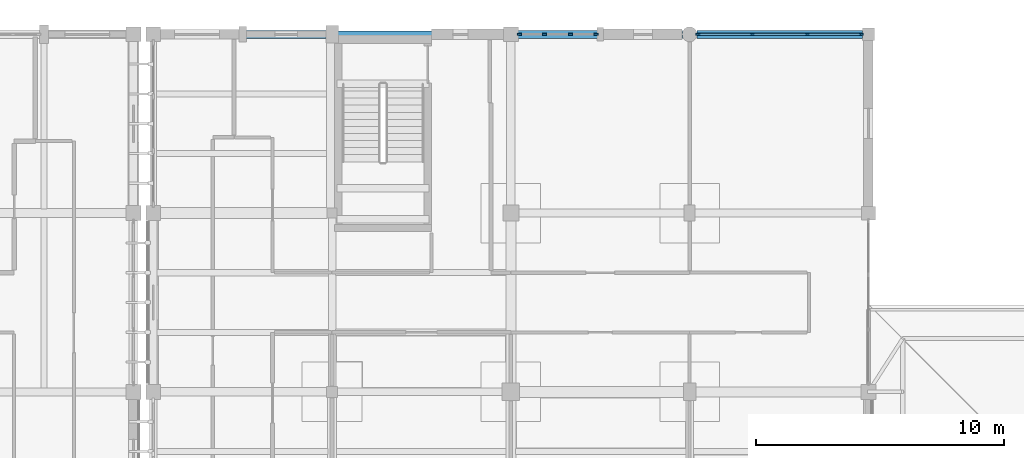
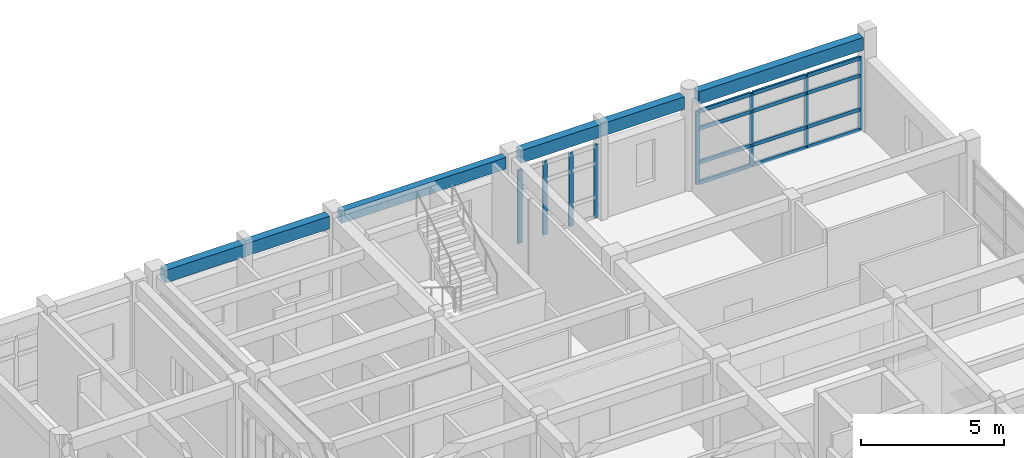
# One storey, part 21 of 55: 20 members, 4 beams, 2 elements without a shape of their own.
"""IFC4 building model written with IfcOpenShell, lengths in metres."""

import ifcopenshell
import ifcopenshell.guid

model = None  # the IFC model being written
_history = None  # IfcOwnerHistory: only IFC2X3 demands one
_inside = {}  # id of a spatial element -> (the spatial element, [elements in it])
_under = {}  # id of a project, library or spatial element -> (it, [spatial elements below it])
_declared = {}  # id of a project -> (the project, [libraries it declares])
_typed = {}  # id of a type object -> (the type object, [elements of that type])
_made_of = {}  # id of a material, layer set ... -> (it, [elements and type objects made of it])


def new_model(schema):
    """Start an empty IFC model of exactly this schema.

    Asked for "IFC4X3", IfcOpenShell would pick the latest addendum, in which some entities
    have other attributes; the version numbers below select the first issue.
    IFC2X3 requires an IfcOwnerHistory on every rooted entity: one is made here for all.
    """
    global model, _history
    if schema == "IFC4X3":
        model = ifcopenshell.file(schema_version=(4, 3, 0, 0))
    else:
        model = ifcopenshell.file(schema=schema)
    _inside.clear()
    _under.clear()
    _declared.clear()
    _typed.clear()
    _made_of.clear()
    _history = None
    if model.schema == "IFC2X3":
        org = make("IfcOrganization", Name="unknown")
        user = make(
            "IfcPersonAndOrganization",
            ThePerson=make("IfcPerson", FamilyName="unknown"),
            TheOrganization=org,
        )
        app = make(
            "IfcApplication",
            ApplicationDeveloper=org,
            Version="unknown",
            ApplicationFullName="unknown",
            ApplicationIdentifier="unknown",
        )
        _history = make(
            "IfcOwnerHistory",
            OwningUser=user,
            OwningApplication=app,
            ChangeAction="ADDED",
            CreationDate=0,
        )
    return model


def make(cls, **values):
    """One entity of the class cls with the attributes given. An attribute that is None is left unset."""
    return model.create_entity(
        cls, **{name: value for name, value in values.items() if value is not None}
    )


def rooted(cls, **values):
    """An entity with a GlobalId (a new one), such as an element, a storey or a relation."""
    return make(cls, GlobalId=ifcopenshell.guid.new(), OwnerHistory=_history, **values)


def si_unit(unit_type, name, prefix=None):
    """IfcSIUnit, for example si_unit("LENGTHUNIT", "METRE", prefix="MILLI")."""
    return make("IfcSIUnit", UnitType=unit_type, Prefix=prefix, Name=name)


def assignment(units):
    """IfcUnitAssignment: the units of a project."""
    return None if units is None else make("IfcUnitAssignment", Units=units)


def point(xyz):
    """IfcCartesianPoint."""
    return None if xyz is None else make("IfcCartesianPoint", Coordinates=xyz)


def direction(xyz):
    """IfcDirection."""
    return None if xyz is None else make("IfcDirection", DirectionRatios=xyz)


def frame(location, z_axis=None, x_axis=None):
    """IfcAxis2Placement3D, a coordinate frame: its origin and axes. An axis left out is left unset."""
    return make(
        "IfcAxis2Placement3D",
        Location=point(location),
        Axis=direction(z_axis),
        RefDirection=direction(x_axis),
    )


def frame_2d(location, x_axis=None):
    """IfcAxis2Placement2D, a coordinate frame in the plane: its origin and x axis."""
    return make(
        "IfcAxis2Placement2D", Location=point(location), RefDirection=direction(x_axis)
    )


def origin():
    """The frame at (0, 0, 0) with its axes left unset."""
    return frame((0.0, 0.0, 0.0))


def origin_2d():
    """The frame at (0, 0) in the plane with its x axis left unset."""
    return frame_2d((0.0, 0.0))


def place(relative_to, where):
    """IfcLocalPlacement: puts the frame where relative to a parent placement (None: the world)."""
    return make(
        "IfcLocalPlacement", PlacementRelTo=relative_to, RelativePlacement=where
    )


def context(
    kind, dimensions, precision=None, world=None, true_north=None, identifier=None
):
    """IfcGeometricRepresentationContext, for example the 3D "Model" context."""
    return make(
        "IfcGeometricRepresentationContext",
        ContextIdentifier=identifier,
        ContextType=kind,
        CoordinateSpaceDimension=dimensions,
        Precision=precision,
        WorldCoordinateSystem=world,
        TrueNorth=true_north,
    )


def subcontext(parent, identifier, kind, view, scale=None):
    """IfcGeometricRepresentationSubContext, for example "Body" below "Model"."""
    return make(
        "IfcGeometricRepresentationSubContext",
        ContextIdentifier=identifier,
        ContextType=kind,
        ParentContext=parent,
        TargetScale=scale,
        TargetView=view,
    )


def project(units=None, contexts=None):
    """IfcProject with its units and contexts."""
    return rooted(
        "IfcProject",
        Name="project",
        RepresentationContexts=contexts,
        UnitsInContext=assignment(units),
    )


def spatial(cls, under=None, at=None, **own):
    """A site, building, storey or space (cls), placed at a placement, below another one or the project."""
    s = rooted(cls, ObjectPlacement=at, **own)
    if under is not None:
        _under.setdefault(under.id(), (under, []))[1].append(s)
    return s


def profile(cls, at=None, kind="AREA", **sizes):
    """A parametric profile (cls). Its sizes go by their IFC names, for example OverallWidth=200.0."""
    return make(cls, ProfileType=kind, Position=at, **sizes)


def rectangle(**sizes):
    """IfcRectangleProfileDef."""
    return profile("IfcRectangleProfileDef", **sizes)


def extrude(swept, where, along, depth):
    """IfcExtrudedAreaSolid: the profile swept, set in the frame where, extruded along a direction by depth."""
    return make(
        "IfcExtrudedAreaSolid",
        SweptArea=swept,
        Position=where,
        ExtrudedDirection=direction(along),
        Depth=depth,
    )


def shape(context_of_items, identifier, shape_type, items):
    """IfcShapeRepresentation: the items that make up one representation, for example the "Body"."""
    return make(
        "IfcShapeRepresentation",
        ContextOfItems=context_of_items,
        RepresentationIdentifier=identifier,
        RepresentationType=shape_type,
        Items=items,
    )


def material(Name=None, Category=None):
    """IfcMaterial."""
    return make("IfcMaterial", Name=Name, Category=Category)


def material_profile(
    of_material, cross_section, Name=None, Category=None, Priority=None
):
    """IfcMaterialProfile: a cross section and its material."""
    return make(
        "IfcMaterialProfile",
        Name=Name,
        Material=of_material,
        Profile=cross_section,
        Priority=Priority,
        Category=Category,
    )


def profile_set(profiles, Name=None, composite=None):
    """IfcMaterialProfileSet."""
    return make(
        "IfcMaterialProfileSet",
        Name=Name,
        MaterialProfiles=profiles,
        CompositeProfile=composite,
    )


def made_of(thing, what):
    """Note that an element or type object is made of a material, layer set ...; save() writes the relation."""
    if what is not None:
        _made_of.setdefault(what.id(), (what, []))[1].append(thing)
    return thing


def type_object(cls, material=None, **own):
    """A type object (cls), such as IfcWallType, which elements share."""
    return made_of(rooted(cls, **own), material)


def element(
    cls,
    number,
    at=None,
    inside=None,
    cuts=None,
    type_object=None,
    material=None,
    context=None,
    identifier="Body",
    shape_type=None,
    held_by="IfcProductDefinitionShape",
    body=None,
    shapes=None,
    **own,
):
    """One element of the class cls, such as IfcWall. Its Tag is "e" and its number.

    at: its placement. inside: the storey or other place that contains it. cuts: it is an
    opening in that element (IfcRelVoidsElement). A single representation is given by context,
    identifier, shape_type and body (its items); several are given by shapes. held_by: the class
    of the entity that holds the representations. save() writes the other relations.
    """
    e = rooted(cls, Tag="e%d" % number, ObjectPlacement=at, **own)
    if body is not None:
        shapes = [shape(context, identifier, shape_type, body)]
    if shapes is not None:
        e.Representation = make(held_by, Representations=shapes)
    if inside is not None:
        _inside.setdefault(inside.id(), (inside, []))[1].append(e)
    if cuts is not None:
        rooted(
            "IfcRelVoidsElement", RelatingBuildingElement=cuts, RelatedOpeningElement=e
        )
    if type_object is not None:
        _typed.setdefault(type_object.id(), (type_object, []))[1].append(e)
    return made_of(e, material)


def aggregate(whole, parts):
    """IfcRelAggregates: a whole, such as a stair, and the parts it consists of."""
    return rooted("IfcRelAggregates", RelatingObject=whole, RelatedObjects=parts)


def save(model, path):
    """Write the relations noted so far, then the file.

    IfcRelAggregates (storeys below a building ...), IfcRelContainedInSpatialStructure (elements
    in a storey), IfcRelDefinesByType, IfcRelAssociatesMaterial and IfcRelDeclares: one each for
    every whole, place, type object, material and project.
    """
    for whole, parts in _under.values():
        aggregate(whole, parts)
    for where, things in _inside.values():
        rooted(
            "IfcRelContainedInSpatialStructure",
            RelatedElements=things,
            RelatingStructure=where,
        )
    for kind, things in _typed.values():
        rooted("IfcRelDefinesByType", RelatedObjects=things, RelatingType=kind)
    for what, things in _made_of.values():
        rooted("IfcRelAssociatesMaterial", RelatedObjects=things, RelatingMaterial=what)
    for by, libraries in _declared.values():
        rooted("IfcRelDeclares", RelatingContext=by, RelatedDefinitions=libraries)
    model.write(path)


model = new_model("IFC4")

# Units and contexts
model_context = context("Model", 3, precision=1e-05, world=origin(), true_north=direction((0.0, 1.0)))
body_context = subcontext(model_context, "Body", "Model", "MODEL_VIEW")
ifc_project = project(units=[si_unit("LENGTHUNIT", "METRE"), si_unit("AREAUNIT", "SQUARE_METRE"), si_unit("VOLUMEUNIT", "CUBIC_METRE"), si_unit("PLANEANGLEUNIT", "RADIAN"), si_unit("MASSUNIT", "GRAM", prefix="KILO")], contexts=[model_context])

# Site, building, storey
site_placement = place(None, origin())
site = spatial("IfcSite", under=ifc_project, at=site_placement, CompositionType="ELEMENT")
building_placement = place(site_placement, origin())
building = spatial("IfcBuilding", under=site, at=building_placement, Name="Steenspoor Specialist Clinic", CompositionType="ELEMENT")
storey_placement = place(building_placement, frame((0.0, 0.0, 13.199951171875)))
storey = spatial("IfcBuildingStorey", under=building, at=storey_placement, Name="L03", CompositionType="ELEMENT", Elevation=13.199951171875)

# Curtain wall, members
ifc_material_1 = material(Name="Thermally broken aluminium and low-emissivity glass", Category="aluminium")
curtain_wall_type_1 = type_object("IfcCurtainWallType", Name="CW-L00-240X415", PredefinedType="USERDEFINED", material=ifc_material_1)
curtain_wall_1_placement = place(storey_placement, origin())
curtain_wall_1 = element("IfcCurtainWall", 1, at=curtain_wall_1_placement, inside=storey, type_object=curtain_wall_type_1, Name="Unitised Curtain Wall CW-V6-L03-200", ObjectType="UNITISED GLAZING", PredefinedType="USERDEFINED")
ifc_material_2 = material(Name="Thermally broken aluminium 6063-T6", Category="aluminium")
ifc_material_profile_1 = material_profile(ifc_material_2, rectangle(XDim=0.070068359375, YDim=0.1650390625, at=origin_2d()), Name="CWM-70X165")
ifc_profile_set_1 = profile_set([ifc_material_profile_1], Name="Thermally broken aluminium 6063-T6")
member_type_1 = type_object("IfcMemberType", Name="CW-MULL-70X165", PredefinedType="MULLION", material=ifc_profile_set_1)
member_1_placement = place(storey_placement, frame((139.93505859375, 108.35009765625, 0.0), z_axis=(0.0, 0.0, 1.0), x_axis=(0.0, 1.0, 0.0)))
member_1 = element("IfcMember", 2, at=member_1_placement, type_object=member_type_1, Name="CW-08 mullion 1", PredefinedType="MULLION", context=body_context, shape_type="SweptSolid", body=[
    extrude(rectangle(XDim=0.070068359375, YDim=0.1650390625, at=origin_2d()), origin(), (0.0, 0.0, 1.0), 3.130126953125),
])
member_2_placement = place(storey_placement, frame((142.11669921875, 108.35009765625, 0.0), z_axis=(0.0, 0.0, 1.0), x_axis=(0.0, 1.0, 0.0)))
member_2 = element("IfcMember", 3, at=member_2_placement, type_object=member_type_1, Name="CW-08 mullion 2", PredefinedType="MULLION", context=body_context, shape_type="SweptSolid", body=[
    extrude(rectangle(XDim=0.070068359375, YDim=0.1650390625, at=origin_2d()), origin(), (0.0, 0.0, 1.0), 3.130126953125),
])
member_3_placement = place(storey_placement, frame((144.333251953125, 108.35009765625, 0.0), z_axis=(0.0, 0.0, 1.0), x_axis=(0.0, 1.0, 0.0)))
member_3 = element("IfcMember", 4, at=member_3_placement, type_object=member_type_1, Name="CW-08 mullion 3", PredefinedType="MULLION", context=body_context, shape_type="SweptSolid", body=[
    extrude(rectangle(XDim=0.070068359375, YDim=0.1650390625, at=origin_2d()), origin(), (0.0, 0.0, 1.0), 3.130126953125),
])
member_4_placement = place(storey_placement, frame((146.514892578125, 108.35009765625, 0.0), z_axis=(0.0, 0.0, 1.0), x_axis=(0.0, 1.0, 0.0)))
member_4 = element("IfcMember", 5, at=member_4_placement, type_object=member_type_1, Name="CW-08 mullion 4", PredefinedType="MULLION", context=body_context, shape_type="SweptSolid", body=[
    extrude(rectangle(XDim=0.070068359375, YDim=0.1650390625, at=origin_2d()), origin(), (0.0, 0.0, 1.0), 3.130126953125),
])

curtain_wall_type_2 = type_object("IfcCurtainWallType", Name="CW-L00-360X415", PredefinedType="USERDEFINED", material=ifc_material_1)
curtain_wall_2_placement = place(storey_placement, origin())
curtain_wall_2 = element("IfcCurtainWall", 6, at=curtain_wall_2_placement, inside=storey, type_object=curtain_wall_type_2, Name="Unitised Curtain Wall CW-V6-L03-199", ObjectType="UNITISED GLAZING", PredefinedType="USERDEFINED")
ifc_material_profile_2 = material_profile(ifc_material_2, rectangle(XDim=0.080078125, YDim=0.179931640625, at=origin_2d()), Name="CWM-80X180")
ifc_profile_set_2 = profile_set([ifc_material_profile_2], Name="Thermally broken aluminium 6063-T6")
member_type_2 = type_object("IfcMemberType", Name="CW-MULL-80X180", PredefinedType="MULLION", material=ifc_profile_set_2)
member_5_placement = place(storey_placement, frame((132.739990234375, 108.35009765625, 0.0), z_axis=(0.0, 0.0, 1.0), x_axis=(0.0, 1.0, 0.0)))
member_5 = element("IfcMember", 7, at=member_5_placement, type_object=member_type_2, Name="CW-07 mullion 1", PredefinedType="MULLION", context=body_context, shape_type="SweptSolid", body=[
    extrude(rectangle(XDim=0.080078125, YDim=0.179931640625, at=origin_2d()), origin(), (0.0, 0.0, 1.0), 3.130126953125),
])
member_6_placement = place(storey_placement, frame((133.75341796875, 108.35009765625, 0.0), z_axis=(0.0, 0.0, 1.0), x_axis=(0.0, 1.0, 0.0)))
member_6 = element("IfcMember", 8, at=member_6_placement, type_object=member_type_2, Name="CW-07 mullion 2", PredefinedType="MULLION", context=body_context, shape_type="SweptSolid", body=[
    extrude(rectangle(XDim=0.080078125, YDim=0.179931640625, at=origin_2d()), origin(), (0.0, 0.0, 1.0), 3.130126953125),
])
member_7_placement = place(storey_placement, frame((134.806640625, 108.35009765625, 0.0), z_axis=(0.0, 0.0, 1.0), x_axis=(0.0, 1.0, 0.0)))
member_7 = element("IfcMember", 9, at=member_7_placement, type_object=member_type_2, Name="CW-07 mullion 3", PredefinedType="MULLION", context=body_context, shape_type="SweptSolid", body=[
    extrude(rectangle(XDim=0.080078125, YDim=0.179931640625, at=origin_2d()), origin(), (0.0, 0.0, 1.0), 3.130126953125),
])
member_8_placement = place(storey_placement, frame((135.820068359375, 108.35009765625, 0.0), z_axis=(0.0, 0.0, 1.0), x_axis=(0.0, 1.0, 0.0)))
member_8 = element("IfcMember", 10, at=member_8_placement, type_object=member_type_2, Name="CW-07 mullion 4", PredefinedType="MULLION", context=body_context, shape_type="SweptSolid", body=[
    extrude(rectangle(XDim=0.080078125, YDim=0.179931640625, at=origin_2d()), origin(), (0.0, 0.0, 1.0), 3.130126953125),
])
aggregate(curtain_wall_2, [member_5, member_6, member_7, member_8])

# Member
ifc_material_profile_3 = material_profile(ifc_material_2, rectangle(XDim=0.080078125, YDim=0.159912109375, at=origin_2d()), Name="CWT-80X160")
ifc_profile_set_3 = profile_set([ifc_material_profile_3], Name="Thermally broken aluminium 6063-T6")
member_type_3 = type_object("IfcMemberType", Name="CW-TRAN-80X160", PredefinedType="USERDEFINED", material=ifc_profile_set_3)
member_9_placement = place(storey_placement, frame((139.969970703125, 108.35009765625, 0.0400390625), z_axis=(1.0, 0.0, 0.0), x_axis=(0.0, 1.0, 0.0)))
member_9 = element("IfcMember", 11, at=member_9_placement, type_object=member_type_3, Name="CW-08 transom 1.1", ObjectType="TRANSOM", PredefinedType="USERDEFINED", context=body_context, shape_type="SweptSolid", body=[
    extrude(rectangle(XDim=0.080078125, YDim=0.159912109375, at=origin_2d()), origin(), (0.0, 0.0, 1.0), 2.11181640625),
])

member_10_placement = place(storey_placement, frame((139.969970703125, 108.35009765625, 0.900146484375), z_axis=(1.0, 0.0, 0.0), x_axis=(0.0, 1.0, 0.0)))
member_10 = element("IfcMember", 12, at=member_10_placement, type_object=member_type_3, Name="CW-08 transom 1.2", ObjectType="TRANSOM", PredefinedType="USERDEFINED", context=body_context, shape_type="SweptSolid", body=[
    extrude(rectangle(XDim=0.080078125, YDim=0.159912109375, at=origin_2d()), origin(), (0.0, 0.0, 1.0), 2.11181640625),
])

member_11_placement = place(storey_placement, frame((139.969970703125, 108.35009765625, 2.35009765625), z_axis=(1.0, 0.0, 0.0), x_axis=(0.0, 1.0, 0.0)))
member_11 = element("IfcMember", 13, at=member_11_placement, type_object=member_type_3, Name="CW-08 transom 1.3", ObjectType="TRANSOM", PredefinedType="USERDEFINED", context=body_context, shape_type="SweptSolid", body=[
    extrude(rectangle(XDim=0.080078125, YDim=0.159912109375, at=origin_2d()), origin(), (0.0, 0.0, 1.0), 2.11181640625),
])

member_12_placement = place(storey_placement, frame((139.969970703125, 108.35009765625, 3.090087890625), z_axis=(1.0, 0.0, 0.0), x_axis=(0.0, 1.0, 0.0)))
member_12 = element("IfcMember", 14, at=member_12_placement, type_object=member_type_3, Name="CW-08 transom 1.4", ObjectType="TRANSOM", PredefinedType="USERDEFINED", context=body_context, shape_type="SweptSolid", body=[
    extrude(rectangle(XDim=0.080078125, YDim=0.159912109375, at=origin_2d()), origin(), (0.0, 0.0, 1.0), 2.11181640625),
])

member_13_placement = place(storey_placement, frame((142.151611328125, 108.35009765625, 0.0400390625), z_axis=(1.0, 0.0, 0.0), x_axis=(0.0, 1.0, 0.0)))
member_13 = element("IfcMember", 15, at=member_13_placement, type_object=member_type_3, Name="CW-08 transom 2.1", ObjectType="TRANSOM", PredefinedType="USERDEFINED", context=body_context, shape_type="SweptSolid", body=[
    extrude(rectangle(XDim=0.080078125, YDim=0.159912109375, at=origin_2d()), origin(), (0.0, 0.0, 1.0), 2.146728515625),
])

member_14_placement = place(storey_placement, frame((142.151611328125, 108.35009765625, 0.900146484375), z_axis=(1.0, 0.0, 0.0), x_axis=(0.0, 1.0, 0.0)))
member_14 = element("IfcMember", 16, at=member_14_placement, type_object=member_type_3, Name="CW-08 transom 2.2", ObjectType="TRANSOM", PredefinedType="USERDEFINED", context=body_context, shape_type="SweptSolid", body=[
    extrude(rectangle(XDim=0.080078125, YDim=0.159912109375, at=origin_2d()), origin(), (0.0, 0.0, 1.0), 2.146728515625),
])

member_15_placement = place(storey_placement, frame((142.151611328125, 108.35009765625, 2.35009765625), z_axis=(1.0, 0.0, 0.0), x_axis=(0.0, 1.0, 0.0)))
member_15 = element("IfcMember", 17, at=member_15_placement, type_object=member_type_3, Name="CW-08 transom 2.3", ObjectType="TRANSOM", PredefinedType="USERDEFINED", context=body_context, shape_type="SweptSolid", body=[
    extrude(rectangle(XDim=0.080078125, YDim=0.159912109375, at=origin_2d()), origin(), (0.0, 0.0, 1.0), 2.146728515625),
])

member_16_placement = place(storey_placement, frame((142.151611328125, 108.35009765625, 3.090087890625), z_axis=(1.0, 0.0, 0.0), x_axis=(0.0, 1.0, 0.0)))
member_16 = element("IfcMember", 18, at=member_16_placement, type_object=member_type_3, Name="CW-08 transom 2.4", ObjectType="TRANSOM", PredefinedType="USERDEFINED", context=body_context, shape_type="SweptSolid", body=[
    extrude(rectangle(XDim=0.080078125, YDim=0.159912109375, at=origin_2d()), origin(), (0.0, 0.0, 1.0), 2.146728515625),
])

member_17_placement = place(storey_placement, frame((144.368408203125, 108.35009765625, 0.0400390625), z_axis=(1.0, 0.0, 0.0), x_axis=(0.0, 1.0, 0.0)))
member_17 = element("IfcMember", 19, at=member_17_placement, type_object=member_type_3, Name="CW-08 transom 3.1", ObjectType="TRANSOM", PredefinedType="USERDEFINED", context=body_context, shape_type="SweptSolid", body=[
    extrude(rectangle(XDim=0.080078125, YDim=0.159912109375, at=origin_2d()), origin(), (0.0, 0.0, 1.0), 2.111572265625),
])

member_18_placement = place(storey_placement, frame((144.368408203125, 108.35009765625, 0.900146484375), z_axis=(1.0, 0.0, 0.0), x_axis=(0.0, 1.0, 0.0)))
member_18 = element("IfcMember", 20, at=member_18_placement, type_object=member_type_3, Name="CW-08 transom 3.2", ObjectType="TRANSOM", PredefinedType="USERDEFINED", context=body_context, shape_type="SweptSolid", body=[
    extrude(rectangle(XDim=0.080078125, YDim=0.159912109375, at=origin_2d()), origin(), (0.0, 0.0, 1.0), 2.111572265625),
])

member_19_placement = place(storey_placement, frame((144.368408203125, 108.35009765625, 2.35009765625), z_axis=(1.0, 0.0, 0.0), x_axis=(0.0, 1.0, 0.0)))
member_19 = element("IfcMember", 21, at=member_19_placement, type_object=member_type_3, Name="CW-08 transom 3.3", ObjectType="TRANSOM", PredefinedType="USERDEFINED", context=body_context, shape_type="SweptSolid", body=[
    extrude(rectangle(XDim=0.080078125, YDim=0.159912109375, at=origin_2d()), origin(), (0.0, 0.0, 1.0), 2.111572265625),
])

member_20_placement = place(storey_placement, frame((144.368408203125, 108.35009765625, 3.090087890625), z_axis=(1.0, 0.0, 0.0), x_axis=(0.0, 1.0, 0.0)))
member_20 = element("IfcMember", 22, at=member_20_placement, type_object=member_type_3, Name="CW-08 transom 3.4", ObjectType="TRANSOM", PredefinedType="USERDEFINED", context=body_context, shape_type="SweptSolid", body=[
    extrude(rectangle(XDim=0.080078125, YDim=0.159912109375, at=origin_2d()), origin(), (0.0, 0.0, 1.0), 2.111572265625),
])

aggregate(curtain_wall_1, [member_1, member_2, member_3, member_4, member_9, member_10, member_11, member_12, member_13, member_14, member_15, member_16, member_17, member_18, member_19, member_20])

# Beams
ifc_material_3 = material(Name="Concrete C35/45", Category="concrete")
ifc_material_profile_4 = material_profile(ifc_material_3, rectangle(XDim=0.280029296875, YDim=0.5, at=origin_2d()), Name="RC-SP-280X500")
ifc_profile_set_4 = profile_set([ifc_material_profile_4], Name="Concrete C35/45")
beam_type_1 = type_object("IfcBeamType", Name="SP-RC-280X500", PredefinedType="SPANDREL", material=ifc_profile_set_4)
beam_1_placement = place(storey_placement, frame((125.445068359375, 108.35009765625, 3.699951171875), z_axis=(1.0, 0.0, 0.0), x_axis=(0.0, 1.0, 0.0)))
element("IfcBeam", 23, at=beam_1_placement, inside=storey, type_object=beam_type_1, Name="BM-V6-L03-X1723", PredefinedType="SPANDREL", context=body_context, shape_type="SweptSolid", body=[
    extrude(rectangle(XDim=0.280029296875, YDim=0.5, at=origin_2d()), origin(), (0.0, 0.0, 1.0), 6.659912109375),
])
ifc_material_profile_5 = material_profile(ifc_material_3, rectangle(XDim=0.320068359375, YDim=0.5400390625, at=origin_2d()), Name="RC-SP-320X540")
ifc_profile_set_5 = profile_set([ifc_material_profile_5], Name="Concrete C35/45")
beam_type_2 = type_object("IfcBeamType", Name="SP-RC-320X540", PredefinedType="SPANDREL", material=ifc_profile_set_5)
beam_2_placement = place(storey_placement, frame((118.294921875, 108.35009765625, 3.679931640625), z_axis=(1.0, 0.0, 0.0), x_axis=(0.0, 1.0, 0.0)))
element("IfcBeam", 24, at=beam_2_placement, inside=storey, type_object=beam_type_2, Name="BM-V6-L03-X1722", PredefinedType="SPANDREL", context=body_context, shape_type="SweptSolid", body=[
    extrude(rectangle(XDim=0.320068359375, YDim=0.5400390625, at=origin_2d()), origin(), (0.0, 0.0, 1.0), 6.66015625),
])
beam_3_placement = place(storey_placement, frame((132.695068359375, 108.35009765625, 3.76513671875), z_axis=(1.0, 0.0, 0.0), x_axis=(0.0, 1.0, 0.0)))
element("IfcBeam", 25, at=beam_3_placement, inside=storey, type_object=beam_type_2, Name="BMTIER-V6-L03-X02-06", PredefinedType="SPANDREL", context=body_context, shape_type="SweptSolid", body=[
    extrude(rectangle(XDim=0.320068359375, YDim=0.5400390625, at=origin_2d()), origin(), (0.0, 0.0, 1.0), 6.60986328125),
])
beam_4_placement = place(storey_placement, frame((139.89501953125, 108.35009765625, 3.76513671875), z_axis=(1.0, 0.0, 0.0), x_axis=(0.0, 1.0, 0.0)))
element("IfcBeam", 26, at=beam_4_placement, inside=storey, type_object=beam_type_2, Name="BMTIER-V6-L03-X03-06", PredefinedType="SPANDREL", context=body_context, shape_type="SweptSolid", body=[
    extrude(rectangle(XDim=0.320068359375, YDim=0.5400390625, at=origin_2d()), origin(), (0.0, 0.0, 1.0), 6.659912109375),
])

save(model, "model.ifc")
